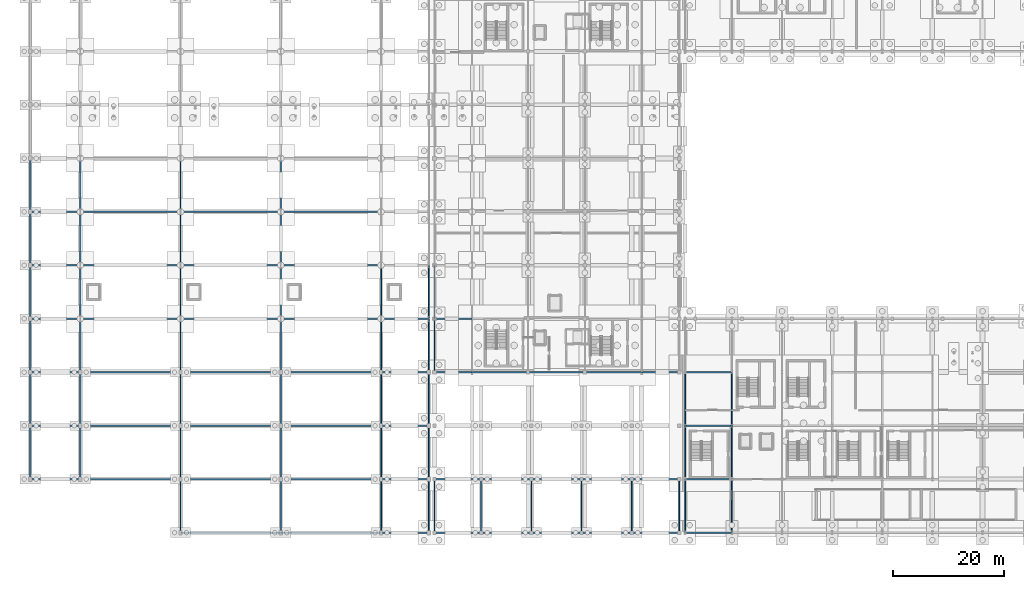
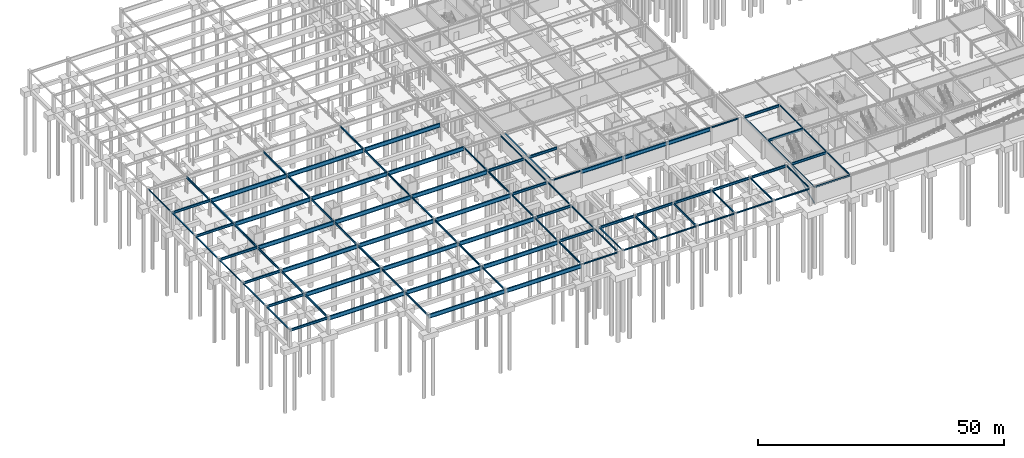
# One storey, part 30 of 59: 101 beams, 1 member.
"""IFC4 building model written with IfcOpenShell, lengths in metres."""

from ifc_helpers import new_model, si_unit, direction, frame, origin, origin_2d, place, context, subcontext, project, spatial, hollow_rectangle, i_section, extrude, material, material_profile, profile_set, type_object, element, save


model = new_model("IFC4")

# Units and contexts
model_context = context("Model", 3, precision=1e-05, world=origin(), true_north=direction((0.0, 1.0)))
body_context = subcontext(model_context, "Body", "Model", "MODEL_VIEW")
ifc_project = project(units=[si_unit("LENGTHUNIT", "METRE"), si_unit("AREAUNIT", "SQUARE_METRE"), si_unit("VOLUMEUNIT", "CUBIC_METRE"), si_unit("PLANEANGLEUNIT", "RADIAN"), si_unit("MASSUNIT", "GRAM", prefix="KILO")], contexts=[model_context])

# Site, building, storey
site_placement = place(None, origin())
site = spatial("IfcSite", under=ifc_project, at=site_placement, CompositionType="ELEMENT")
building_placement = place(site_placement, origin())
building = spatial("IfcBuilding", under=site, at=building_placement, Name="Myrtia Square Station", CompositionType="ELEMENT")
storey_placement = place(building_placement, frame((0.0, 0.0, -4.5)))
storey = spatial("IfcBuildingStorey", under=building, at=storey_placement, Name="B01", CompositionType="ELEMENT", Elevation=-4.5)

# Beams
ifc_material = material(Name="Steel S355", Category="steel")
ifc_material_profile_1 = material_profile(ifc_material, i_section(OverallWidth=0.300048828125, OverallDepth=0.60009765625, WebThickness=0.015380859375, FlangeThickness=0.030029296875, FilletRadius=0.027099609375, at=origin_2d()), Name="HEB 600")
ifc_profile_set_1 = profile_set([ifc_material_profile_1], Name="Steel S355")
beam_type_1 = type_object("IfcBeamType", Name="BM-HEB600", PredefinedType="BEAM", material=ifc_profile_set_1)
beam_1_placement = place(storey_placement, frame((0.050048828125, 9.60009765625, 3.89990234375), z_axis=(1.0, 0.0, 0.0), x_axis=(0.0, 1.0, 0.0)))
element("IfcBeam", 1, at=beam_1_placement, inside=storey, type_object=beam_type_1, Name="Structural girder BMX-B01-0001", PredefinedType="BEAM", context=body_context, shape_type="SweptSolid", body=[
    extrude(i_section(OverallWidth=0.300048828125, OverallDepth=0.60009765625, WebThickness=0.015380859375, FlangeThickness=0.030029296875, FilletRadius=0.027099609375, at=origin_2d()), origin(), (0.0, 0.0, 1.0), 8.89990234375),
])
beam_2_placement = place(storey_placement, frame((63.050048828125, 9.60009765625, 3.89990234375), z_axis=(1.0, 0.0, 0.0), x_axis=(0.0, 1.0, 0.0)))
element("IfcBeam", 2, at=beam_2_placement, inside=storey, type_object=beam_type_1, Name="Structural girder BMX-B01-0002", PredefinedType="BEAM", context=body_context, shape_type="SweptSolid", body=[
    extrude(i_section(OverallWidth=0.300048828125, OverallDepth=0.60009765625, WebThickness=0.015380859375, FlangeThickness=0.030029296875, FilletRadius=0.027099609375, at=origin_2d()), origin(), (0.0, 0.0, 1.0), 8.449951171875),
])
beam_3_placement = place(storey_placement, frame((0.050048828125, 19.199951171875, 3.89990234375), z_axis=(1.0, 0.0, 0.0), x_axis=(0.0, 1.0, 0.0)))
element("IfcBeam", 3, at=beam_3_placement, inside=storey, type_object=beam_type_1, Name="Structural girder BMX-B01-0003", PredefinedType="BEAM", context=body_context, shape_type="SweptSolid", body=[
    extrude(i_section(OverallWidth=0.300048828125, OverallDepth=0.60009765625, WebThickness=0.015380859375, FlangeThickness=0.030029296875, FilletRadius=0.027099609375, at=origin_2d()), origin(), (0.0, 0.0, 1.0), 8.89990234375),
])
beam_4_placement = place(storey_placement, frame((63.050048828125, 19.199951171875, 3.89990234375), z_axis=(1.0, 0.0, 0.0), x_axis=(0.0, 1.0, 0.0)))
element("IfcBeam", 4, at=beam_4_placement, inside=storey, type_object=beam_type_1, Name="Structural girder BMX-B01-0004", PredefinedType="BEAM", context=body_context, shape_type="SweptSolid", body=[
    extrude(i_section(OverallWidth=0.300048828125, OverallDepth=0.60009765625, WebThickness=0.015380859375, FlangeThickness=0.030029296875, FilletRadius=0.027099609375, at=origin_2d()), origin(), (0.0, 0.0, 1.0), 8.449951171875),
])
beam_5_placement = place(storey_placement, frame((0.050048828125, 28.800048828125, 3.89990234375), z_axis=(1.0, 0.0, 0.0), x_axis=(0.0, 1.0, 0.0)))
element("IfcBeam", 5, at=beam_5_placement, inside=storey, type_object=beam_type_1, Name="Structural girder BMX-B01-0005", PredefinedType="BEAM", context=body_context, shape_type="SweptSolid", body=[
    extrude(i_section(OverallWidth=0.300048828125, OverallDepth=0.60009765625, WebThickness=0.015380859375, FlangeThickness=0.030029296875, FilletRadius=0.027099609375, at=origin_2d()), origin(), (0.0, 0.0, 1.0), 8.89990234375),
])
beam_6_placement = place(storey_placement, frame((63.050048828125, 28.800048828125, 3.89990234375), z_axis=(1.0, 0.0, 0.0), x_axis=(0.0, 1.0, 0.0)))
element("IfcBeam", 6, at=beam_6_placement, inside=storey, type_object=beam_type_1, Name="Structural girder BMX-B01-0006", PredefinedType="BEAM", context=body_context, shape_type="SweptSolid", body=[
    extrude(i_section(OverallWidth=0.300048828125, OverallDepth=0.60009765625, WebThickness=0.015380859375, FlangeThickness=0.030029296875, FilletRadius=0.027099609375, at=origin_2d()), origin(), (0.0, 0.0, 1.0), 8.449951171875),
])
beam_7_placement = place(storey_placement, frame((0.050048828125, 38.39990234375, 3.89990234375), z_axis=(1.0, 0.0, 0.0), x_axis=(0.0, 1.0, 0.0)))
element("IfcBeam", 7, at=beam_7_placement, inside=storey, type_object=beam_type_1, Name="Structural girder BMX-B01-0007", PredefinedType="BEAM", context=body_context, shape_type="SweptSolid", body=[
    extrude(i_section(OverallWidth=0.300048828125, OverallDepth=0.60009765625, WebThickness=0.015380859375, FlangeThickness=0.030029296875, FilletRadius=0.027099609375, at=origin_2d()), origin(), (0.0, 0.0, 1.0), 8.89990234375),
])
beam_8_placement = place(storey_placement, frame((63.050048828125, 38.39990234375, 3.89990234375), z_axis=(1.0, 0.0, 0.0), x_axis=(0.0, 1.0, 0.0)))
element("IfcBeam", 8, at=beam_8_placement, inside=storey, type_object=beam_type_1, Name="Structural girder BMX-B01-0008", PredefinedType="BEAM", context=body_context, shape_type="SweptSolid", body=[
    extrude(i_section(OverallWidth=0.300048828125, OverallDepth=0.60009765625, WebThickness=0.015380859375, FlangeThickness=0.030029296875, FilletRadius=0.027099609375, at=origin_2d()), origin(), (0.0, 0.0, 1.0), 8.449951171875),
])
for number, where, z_axis, x_axis, name in (
    (9, (0.050048828125, 48.0, 3.89990234375), (1.0, 0.0, 0.0), (0.0, 1.0, 0.0), "Structural girder BMX-B01-0009"),
    (10, (0.050048828125, 57.60009765625, 3.89990234375), (1.0, 0.0, 0.0), (0.0, 1.0, 0.0), "Structural girder BMX-B01-0011"),
):
    element("IfcBeam", number, at=place(storey_placement, frame(where, z_axis=z_axis, x_axis=x_axis)), inside=storey, type_object=beam_type_1, Name=name, PredefinedType="BEAM", context=body_context, shape_type="SweptSolid", body=[
        extrude(i_section(OverallWidth=0.300048828125, OverallDepth=0.60009765625, WebThickness=0.015380859375, FlangeThickness=0.030029296875, FilletRadius=0.027099609375, at=origin_2d()), origin(), (0.0, 0.0, 1.0), 8.89990234375),
    ])
beam_9_placement = place(storey_placement, frame((72.64990234375, 38.39990234375, 3.919921875), z_axis=(1.0, 0.0, 0.0), x_axis=(0.0, 1.0, 0.0)))
element("IfcBeam", 11, at=beam_9_placement, inside=storey, type_object=beam_type_1, Name="Structural girder BMX-B01-0088", PredefinedType="BEAM", context=body_context, shape_type="SweptSolid", body=[
    extrude(i_section(OverallWidth=0.300048828125, OverallDepth=0.60009765625, WebThickness=0.015380859375, FlangeThickness=0.030029296875, FilletRadius=0.027099609375, at=origin_2d()), origin(), (0.0, 0.0, 1.0), 6.650146484375),
])
beam_10_placement = place(storey_placement, frame((72.64990234375, 9.60009765625, 3.93994140625), z_axis=(1.0, 0.0, 0.0), x_axis=(0.0, 1.0, 0.0)))
element("IfcBeam", 12, at=beam_10_placement, inside=storey, type_object=beam_type_1, Name="Structural girder BMX-B01-0135", PredefinedType="BEAM", context=body_context, shape_type="SweptSolid", body=[
    extrude(i_section(OverallWidth=0.300048828125, OverallDepth=0.60009765625, WebThickness=0.015380859375, FlangeThickness=0.030029296875, FilletRadius=0.027099609375, at=origin_2d()), origin(), (0.0, 0.0, 1.0), 8.300048828125),
])
for number, where, z_axis, x_axis, name in (
    (13, (81.050048828125, 9.60009765625, 3.93994140625), (1.0, 0.0, 0.0), (0.0, 1.0, 0.0), "Structural girder BMX-B01-0136"),
    (14, (90.050048828125, 9.60009765625, 3.93994140625), (1.0, 0.0, 0.0), (0.0, 1.0, 0.0), "Structural girder BMX-B01-0137"),
    (15, (99.050048828125, 9.60009765625, 3.93994140625), (1.0, 0.0, 0.0), (0.0, 1.0, 0.0), "Structural girder BMX-B01-0138"),
):
    element("IfcBeam", number, at=place(storey_placement, frame(where, z_axis=z_axis, x_axis=x_axis)), inside=storey, type_object=beam_type_1, Name=name, PredefinedType="BEAM", context=body_context, shape_type="SweptSolid", body=[
        extrude(i_section(OverallWidth=0.300048828125, OverallDepth=0.60009765625, WebThickness=0.015380859375, FlangeThickness=0.030029296875, FilletRadius=0.027099609375, at=origin_2d()), origin(), (0.0, 0.0, 1.0), 8.89990234375),
    ])
beam_11_placement = place(storey_placement, frame((108.050048828125, 9.60009765625, 3.93994140625), z_axis=(1.0, 0.0, 0.0), x_axis=(0.0, 1.0, 0.0)))
element("IfcBeam", 16, at=beam_11_placement, inside=storey, type_object=beam_type_1, Name="Structural girder BMX-B01-0139", PredefinedType="BEAM", context=body_context, shape_type="SweptSolid", body=[
    extrude(i_section(OverallWidth=0.300048828125, OverallDepth=0.60009765625, WebThickness=0.015380859375, FlangeThickness=0.030029296875, FilletRadius=0.027099609375, at=origin_2d()), origin(), (0.0, 0.0, 1.0), 8.449951171875),
])
for number, where, z_axis, x_axis, name in (
    (17, (117.64990234375, 9.60009765625, 3.929931640625), (1.0, 0.0, 0.0), (0.0, 1.0, 0.0), "Structural girder BMX-B01-0140"),
    (18, (117.64990234375, 19.199951171875, 3.929931640625), (1.0, 0.0, 0.0), (0.0, 1.0, 0.0), "Structural girder BMX-B01-0147"),
    (19, (117.64990234375, 28.800048828125, 3.929931640625), (1.0, 0.0, 0.0), (0.0, 1.0, 0.0), "Structural girder BMX-B01-0154"),
):
    element("IfcBeam", number, at=place(storey_placement, frame(where, z_axis=z_axis, x_axis=x_axis)), inside=storey, type_object=beam_type_1, Name=name, PredefinedType="BEAM", context=body_context, shape_type="SweptSolid", body=[
        extrude(i_section(OverallWidth=0.300048828125, OverallDepth=0.60009765625, WebThickness=0.015380859375, FlangeThickness=0.030029296875, FilletRadius=0.027099609375, at=origin_2d()), origin(), (0.0, 0.0, 1.0), 8.300048828125),
    ])
ifc_material_profile_2 = material_profile(ifc_material, i_section(OverallWidth=0.14990234375, OverallDepth=0.300048828125, WebThickness=0.007080078125, FlangeThickness=0.0107421875, FilletRadius=0.014892578125, at=origin_2d()), Name="IPE 300")
ifc_profile_set_2 = profile_set([ifc_material_profile_2], Name="Steel S355")
beam_type_2 = type_object("IfcBeamType", Name="BM-IPE300", PredefinedType="BEAM", material=ifc_profile_set_2)
for number, where, z_axis, x_axis, name in (
    (20, (126.0, 0.050048828125, 4.080078125), (0.0, 1.0, 0.0), (-1.0, 0.0, 0.0), "Structural girder BMY-B01-0167"),
    (21, (126.0, 9.64990234375, 4.080078125), (0.0, 1.0, 0.0), (-1.0, 0.0, 0.0), "Structural girder BMY-B01-0168"),
    (22, (126.0, 19.25, 4.080078125), (0.0, 1.0, 0.0), (-1.0, 0.0, 0.0), "Structural girder BMY-B01-0169"),
):
    element("IfcBeam", number, at=place(storey_placement, frame(where, z_axis=z_axis, x_axis=x_axis)), inside=storey, type_object=beam_type_2, Name=name, PredefinedType="BEAM", context=body_context, shape_type="SweptSolid", body=[
        extrude(i_section(OverallWidth=0.14990234375, OverallDepth=0.300048828125, WebThickness=0.007080078125, FlangeThickness=0.0107421875, FilletRadius=0.014892578125, at=origin_2d()), origin(), (0.0, 0.0, 1.0), 9.5),
    ])
ifc_material_profile_3 = material_profile(ifc_material, i_section(OverallWidth=0.159912109375, OverallDepth=0.330078125, WebThickness=0.007568359375, FlangeThickness=0.011474609375, FilletRadius=0.01806640625, at=origin_2d()), Name="IPE 330")
ifc_profile_set_3 = profile_set([ifc_material_profile_3], Name="Steel S355")
beam_type_3 = type_object("IfcBeamType", Name="BM-IPE330", PredefinedType="BEAM", material=ifc_profile_set_3)
for number, where, z_axis, x_axis, name in (
    (23, (117.60009765625, 0.050048828125, 4.06494140625), (0.0, 1.0, 0.0), (-1.0, 0.0, 0.0), "Structural girder BMY-B01-0163"),
    (24, (117.60009765625, 9.64990234375, 4.06494140625), (0.0, 1.0, 0.0), (-1.0, 0.0, 0.0), "Structural girder BMY-B01-0164"),
    (25, (117.60009765625, 19.25, 4.06494140625), (0.0, 1.0, 0.0), (-1.0, 0.0, 0.0), "Structural girder BMY-B01-0165"),
):
    element("IfcBeam", number, at=place(storey_placement, frame(where, z_axis=z_axis, x_axis=x_axis)), inside=storey, type_object=beam_type_3, Name=name, PredefinedType="BEAM", context=body_context, shape_type="SweptSolid", body=[
        extrude(i_section(OverallWidth=0.159912109375, OverallDepth=0.330078125, WebThickness=0.007568359375, FlangeThickness=0.011474609375, FilletRadius=0.01806640625, at=origin_2d()), origin(), (0.0, 0.0, 1.0), 9.5),
    ])
ifc_material_profile_4 = material_profile(ifc_material, i_section(OverallWidth=0.169921875, OverallDepth=0.360107421875, WebThickness=0.008056640625, FlangeThickness=0.0126953125, FilletRadius=0.01806640625, at=origin_2d()), Name="IPE 360")
ifc_profile_set_4 = profile_set([ifc_material_profile_4], Name="Steel S355")
beam_type_4 = type_object("IfcBeamType", Name="BM-IPE360", PredefinedType="BEAM", material=ifc_profile_set_4)
for number, where, z_axis, x_axis, name in (
    (26, (71.550048828125, 0.050048828125, 4.02001953125), (0.0, 1.0, 0.0), (-1.0, 0.0, 0.0), "Structural girder BMY-B01-0075"),
    (27, (71.550048828125, 9.64990234375, 4.02001953125), (0.0, 1.0, 0.0), (-1.0, 0.0, 0.0), "Structural girder BMY-B01-0076"),
    (28, (71.550048828125, 19.25, 4.02001953125), (0.0, 1.0, 0.0), (-1.0, 0.0, 0.0), "Structural girder BMY-B01-0077"),
    (29, (71.550048828125, 28.85009765625, 4.02001953125), (0.0, 1.0, 0.0), (-1.0, 0.0, 0.0), "Structural girder BMY-B01-0078"),
    (30, (71.550048828125, 38.449951171875, 4.02001953125), (0.0, 1.0, 0.0), (-1.0, 0.0, 0.0), "Structural girder BMY-B01-0079"),
    (31, (116.550048828125, 0.050048828125, 4.06005859375), (0.0, 1.0, 0.0), (-1.0, 0.0, 0.0), "Structural girder BMY-B01-0162"),
):
    element("IfcBeam", number, at=place(storey_placement, frame(where, z_axis=z_axis, x_axis=x_axis)), inside=storey, type_object=beam_type_4, Name=name, PredefinedType="BEAM", context=body_context, shape_type="SweptSolid", body=[
        extrude(i_section(OverallWidth=0.169921875, OverallDepth=0.360107421875, WebThickness=0.008056640625, FlangeThickness=0.0126953125, FilletRadius=0.01806640625, at=origin_2d()), origin(), (0.0, 0.0, 1.0), 9.5),
    ])
ifc_material_profile_5 = material_profile(ifc_material, i_section(OverallWidth=0.179931640625, OverallDepth=0.39990234375, WebThickness=0.008544921875, FlangeThickness=0.013427734375, FilletRadius=0.02099609375, at=origin_2d()), Name="IPE 400")
ifc_profile_set_5 = profile_set([ifc_material_profile_5], Name="Steel S355")
beam_type_5 = type_object("IfcBeamType", Name="BM-IPE400", PredefinedType="BEAM", material=ifc_profile_set_5)
for number, where, z_axis, x_axis, name in (
    (32, (63.0, 0.050048828125, 4.0), (0.0, 1.0, 0.0), (-1.0, 0.0, 0.0), "Structural girder BMY-B01-0062"),
    (33, (63.0, 9.64990234375, 4.0), (0.0, 1.0, 0.0), (-1.0, 0.0, 0.0), "Structural girder BMY-B01-0063"),
    (34, (63.0, 19.25, 4.0), (0.0, 1.0, 0.0), (-1.0, 0.0, 0.0), "Structural girder BMY-B01-0064"),
    (35, (63.0, 28.85009765625, 4.0), (0.0, 1.0, 0.0), (-1.0, 0.0, 0.0), "Structural girder BMY-B01-0065"),
    (36, (63.0, 38.449951171875, 4.0), (0.0, 1.0, 0.0), (-1.0, 0.0, 0.0), "Structural girder BMY-B01-0066"),
    (37, (108.0, 0.050048828125, 4.0400390625), (0.0, 1.0, 0.0), (-1.0, 0.0, 0.0), "Structural girder BMY-B01-0161"),
):
    element("IfcBeam", number, at=place(storey_placement, frame(where, z_axis=z_axis, x_axis=x_axis)), inside=storey, type_object=beam_type_5, Name=name, PredefinedType="BEAM", context=body_context, shape_type="SweptSolid", body=[
        extrude(i_section(OverallWidth=0.179931640625, OverallDepth=0.39990234375, WebThickness=0.008544921875, FlangeThickness=0.013427734375, FilletRadius=0.02099609375, at=origin_2d()), origin(), (0.0, 0.0, 1.0), 9.5),
    ])
ifc_material_profile_6 = material_profile(ifc_material, i_section(OverallWidth=0.18994140625, OverallDepth=0.449951171875, WebThickness=0.009521484375, FlangeThickness=0.0146484375, FilletRadius=0.02099609375, at=origin_2d()), Name="IPE 450")
ifc_profile_set_6 = profile_set([ifc_material_profile_6], Name="Steel S355")
beam_type_6 = type_object("IfcBeamType", Name="BM-IPE450", PredefinedType="BEAM", material=ifc_profile_set_6)
for number, where, z_axis, x_axis, name in (
    (38, (45.0, 0.050048828125, 3.97509765625), (0.0, 1.0, 0.0), (-1.0, 0.0, 0.0), "Structural girder BMY-B01-0049"),
    (39, (45.0, 9.64990234375, 3.97509765625), (0.0, 1.0, 0.0), (-1.0, 0.0, 0.0), "Structural girder BMY-B01-0050"),
    (40, (45.0, 19.25, 3.97509765625), (0.0, 1.0, 0.0), (-1.0, 0.0, 0.0), "Structural girder BMY-B01-0051"),
    (41, (45.0, 28.85009765625, 3.97509765625), (0.0, 1.0, 0.0), (-1.0, 0.0, 0.0), "Structural girder BMY-B01-0052"),
    (42, (45.0, 38.449951171875, 3.97509765625), (0.0, 1.0, 0.0), (-1.0, 0.0, 0.0), "Structural girder BMY-B01-0053"),
    (43, (45.0, 48.050048828125, 3.97509765625), (0.0, 1.0, 0.0), (-1.0, 0.0, 0.0), "Structural girder BMY-B01-0054"),
    (44, (45.0, 57.64990234375, 3.97509765625), (0.0, 1.0, 0.0), (-1.0, 0.0, 0.0), "Structural girder BMY-B01-0055"),
    (45, (99.0, 0.050048828125, 4.014892578125), (0.0, 1.0, 0.0), (-1.0, 0.0, 0.0), "Structural girder BMY-B01-0160"),
):
    element("IfcBeam", number, at=place(storey_placement, frame(where, z_axis=z_axis, x_axis=x_axis)), inside=storey, type_object=beam_type_6, Name=name, PredefinedType="BEAM", context=body_context, shape_type="SweptSolid", body=[
        extrude(i_section(OverallWidth=0.18994140625, OverallDepth=0.449951171875, WebThickness=0.009521484375, FlangeThickness=0.0146484375, FilletRadius=0.02099609375, at=origin_2d()), origin(), (0.0, 0.0, 1.0), 9.5),
    ])
ifc_material_profile_7 = material_profile(ifc_material, i_section(OverallWidth=0.199951171875, OverallDepth=0.5, WebThickness=0.01025390625, FlangeThickness=0.01611328125, FilletRadius=0.02099609375, at=origin_2d()), Name="IPE 500")
ifc_profile_set_7 = profile_set([ifc_material_profile_7], Name="Steel S355")
beam_type_7 = type_object("IfcBeamType", Name="BM-IPE500", PredefinedType="BEAM", material=ifc_profile_set_7)
for number, where, z_axis, x_axis, name in (
    (46, (27.0, 0.050048828125, 3.949951171875), (0.0, 1.0, 0.0), (-1.0, 0.0, 0.0), "Structural girder BMY-B01-0036"),
    (47, (27.0, 9.64990234375, 3.949951171875), (0.0, 1.0, 0.0), (-1.0, 0.0, 0.0), "Structural girder BMY-B01-0037"),
    (48, (27.0, 19.25, 3.949951171875), (0.0, 1.0, 0.0), (-1.0, 0.0, 0.0), "Structural girder BMY-B01-0038"),
    (49, (27.0, 28.85009765625, 3.949951171875), (0.0, 1.0, 0.0), (-1.0, 0.0, 0.0), "Structural girder BMY-B01-0039"),
    (50, (27.0, 38.449951171875, 3.949951171875), (0.0, 1.0, 0.0), (-1.0, 0.0, 0.0), "Structural girder BMY-B01-0040"),
    (51, (27.0, 48.050048828125, 3.949951171875), (0.0, 1.0, 0.0), (-1.0, 0.0, 0.0), "Structural girder BMY-B01-0041"),
    (52, (27.0, 57.64990234375, 3.949951171875), (0.0, 1.0, 0.0), (-1.0, 0.0, 0.0), "Structural girder BMY-B01-0042"),
    (53, (90.0, 0.050048828125, 3.989990234375), (0.0, 1.0, 0.0), (-1.0, 0.0, 0.0), "Structural girder BMY-B01-0159"),
):
    element("IfcBeam", number, at=place(storey_placement, frame(where, z_axis=z_axis, x_axis=x_axis)), inside=storey, type_object=beam_type_7, Name=name, PredefinedType="BEAM", context=body_context, shape_type="SweptSolid", body=[
        extrude(i_section(OverallWidth=0.199951171875, OverallDepth=0.5, WebThickness=0.01025390625, FlangeThickness=0.01611328125, FilletRadius=0.02099609375, at=origin_2d()), origin(), (0.0, 0.0, 1.0), 9.5),
    ])
ifc_material_profile_8 = material_profile(ifc_material, i_section(OverallWidth=0.2099609375, OverallDepth=0.550048828125, WebThickness=0.010986328125, FlangeThickness=0.01708984375, FilletRadius=0.02392578125, at=origin_2d()), Name="IPE 550")
ifc_profile_set_8 = profile_set([ifc_material_profile_8], Name="Steel S355")
beam_type_8 = type_object("IfcBeamType", Name="BM-IPE550", PredefinedType="BEAM", material=ifc_profile_set_8)
for number, where, z_axis, x_axis, name in (
    (54, (9.0, 9.64990234375, 3.925048828125), (0.0, 1.0, 0.0), (-1.0, 0.0, 0.0), "Structural girder BMY-B01-0025"),
    (55, (9.0, 19.25, 3.925048828125), (0.0, 1.0, 0.0), (-1.0, 0.0, 0.0), "Structural girder BMY-B01-0026"),
    (56, (9.0, 28.85009765625, 3.925048828125), (0.0, 1.0, 0.0), (-1.0, 0.0, 0.0), "Structural girder BMY-B01-0027"),
    (57, (9.0, 38.449951171875, 3.925048828125), (0.0, 1.0, 0.0), (-1.0, 0.0, 0.0), "Structural girder BMY-B01-0028"),
    (58, (9.0, 48.050048828125, 3.925048828125), (0.0, 1.0, 0.0), (-1.0, 0.0, 0.0), "Structural girder BMY-B01-0029"),
    (59, (9.0, 57.64990234375, 3.925048828125), (0.0, 1.0, 0.0), (-1.0, 0.0, 0.0), "Structural girder BMY-B01-0030"),
    (60, (81.0, 0.050048828125, 3.965087890625), (0.0, 1.0, 0.0), (-1.0, 0.0, 0.0), "Structural girder BMY-B01-0158"),
):
    element("IfcBeam", number, at=place(storey_placement, frame(where, z_axis=z_axis, x_axis=x_axis)), inside=storey, type_object=beam_type_8, Name=name, PredefinedType="BEAM", context=body_context, shape_type="SweptSolid", body=[
        extrude(i_section(OverallWidth=0.2099609375, OverallDepth=0.550048828125, WebThickness=0.010986328125, FlangeThickness=0.01708984375, FilletRadius=0.02392578125, at=origin_2d()), origin(), (0.0, 0.0, 1.0), 9.5),
    ])

# Member
ifc_material_profile_9 = material_profile(ifc_material, hollow_rectangle(XDim=0.199951171875, YDim=0.199951171875, WallThickness=0.012451171875, InnerFilletRadius=0.012451171875, OuterFilletRadius=0.02490234375, at=origin_2d()), Name="SHS 200x200x12.5")
ifc_profile_set_9 = profile_set([ifc_material_profile_9], Name="Steel S355")
member_type = type_object("IfcMemberType", Name="BRC-SHS200", PredefinedType="BRACE", material=ifc_profile_set_9)
member_placement = place(storey_placement, frame((117.60009765625, 0.0, 0.10009765625), z_axis=(0.0, 0.924780834948, 0.380500206719), x_axis=(-1.0, 0.0, 0.0)))
element("IfcMember", 61, at=member_placement, inside=storey, type_object=member_type, Name="Seismic concentrically braced frame BF-B01-01", PredefinedType="BRACE", context=body_context, shape_type="SweptSolid", body=[
    extrude(hollow_rectangle(XDim=0.199951171875, YDim=0.199951171875, WallThickness=0.012451171875, InnerFilletRadius=0.012451171875, OuterFilletRadius=0.02490234375, at=origin_2d()), origin(), (0.0, 0.0, 1.0), 10.380859375),
])

# Beams
ifc_material_profile_10 = material_profile(ifc_material, i_section(OverallWidth=0.239990234375, OverallDepth=0.239990234375, WebThickness=0.010009765625, FlangeThickness=0.01708984375, FilletRadius=0.02099609375, at=origin_2d()), Name="HEB 240")
ifc_profile_set_10 = profile_set([ifc_material_profile_10], Name="Steel S355")
beam_type_9 = type_object("IfcBeamType", Name="SPN-HEB240", PredefinedType="SPANDREL", material=ifc_profile_set_10)
for number, where, z_axis, x_axis, name in (
    (62, (0.0, 9.64990234375, 4.080078125), (0.0, 1.0, 0.0), (-1.0, 0.0, 0.0), "Structural girder SPNY-B01-0003"),
    (63, (0.0, 19.25, 4.080078125), (0.0, 1.0, 0.0), (-1.0, 0.0, 0.0), "Structural girder SPNY-B01-0004"),
    (64, (0.0, 28.85009765625, 4.080078125), (0.0, 1.0, 0.0), (-1.0, 0.0, 0.0), "Structural girder SPNY-B01-0005"),
    (65, (0.0, 38.449951171875, 4.080078125), (0.0, 1.0, 0.0), (-1.0, 0.0, 0.0), "Structural girder SPNY-B01-0006"),
    (66, (0.0, 48.050048828125, 4.080078125), (0.0, 1.0, 0.0), (-1.0, 0.0, 0.0), "Structural girder SPNY-B01-0007"),
    (67, (0.0, 57.64990234375, 4.080078125), (0.0, 1.0, 0.0), (-1.0, 0.0, 0.0), "Structural girder SPNY-B01-0008"),
    (68, (72.60009765625, 28.85009765625, 4.10009765625), (0.0, 1.0, 0.0), (-1.0, 0.0, 0.0), "Structural girder SPNY-B01-0018"),
    (69, (72.60009765625, 38.449951171875, 4.10009765625), (0.0, 1.0, 0.0), (-1.0, 0.0, 0.0), "Structural girder SPNY-B01-0019"),
    (70, (72.60009765625, 0.050048828125, 4.1201171875), (0.0, 1.0, 0.0), (-1.0, 0.0, 0.0), "Structural girder SPNY-B01-0044"),
):
    element("IfcBeam", number, at=place(storey_placement, frame(where, z_axis=z_axis, x_axis=x_axis)), inside=storey, type_object=beam_type_9, Name=name, PredefinedType="SPANDREL", context=body_context, shape_type="SweptSolid", body=[
        extrude(i_section(OverallWidth=0.239990234375, OverallDepth=0.239990234375, WebThickness=0.010009765625, FlangeThickness=0.01708984375, FilletRadius=0.02099609375, at=origin_2d()), origin(), (0.0, 0.0, 1.0), 9.5),
    ])
ifc_material_profile_11 = material_profile(ifc_material, i_section(OverallWidth=0.280029296875, OverallDepth=0.280029296875, WebThickness=0.010498046875, FlangeThickness=0.01806640625, FilletRadius=0.02392578125, at=origin_2d()), Name="HEB 280")
ifc_profile_set_11 = profile_set([ifc_material_profile_11], Name="Steel S355")
beam_type_10 = type_object("IfcBeamType", Name="SPN-HEB280", PredefinedType="SPANDREL", material=ifc_profile_set_11)
beam_12_placement = place(storey_placement, frame((63.050048828125, 0.0, 4.06005859375), z_axis=(1.0, 0.0, 0.0), x_axis=(0.0, 1.0, 0.0)))
element("IfcBeam", 71, at=beam_12_placement, inside=storey, type_object=beam_type_10, Name="Structural girder SPN-B01-0001", PredefinedType="SPANDREL", context=body_context, shape_type="SweptSolid", body=[
    extrude(i_section(OverallWidth=0.280029296875, OverallDepth=0.280029296875, WebThickness=0.010498046875, FlangeThickness=0.01806640625, FilletRadius=0.02392578125, at=origin_2d()), origin(), (0.0, 0.0, 1.0), 8.449951171875),
])
beam_13_placement = place(storey_placement, frame((72.64990234375, 28.800048828125, 4.080078125), z_axis=(1.0, 0.0, 0.0), x_axis=(0.0, 1.0, 0.0)))
element("IfcBeam", 72, at=beam_13_placement, inside=storey, type_object=beam_type_10, Name="Structural girder SPN-B01-0014", PredefinedType="SPANDREL", context=body_context, shape_type="SweptSolid", body=[
    extrude(i_section(OverallWidth=0.280029296875, OverallDepth=0.280029296875, WebThickness=0.010498046875, FlangeThickness=0.01806640625, FilletRadius=0.02392578125, at=origin_2d()), origin(), (0.0, 0.0, 1.0), 6.650146484375),
])
beam_14_placement = place(storey_placement, frame((109.85009765625, 28.800048828125, 4.080078125), z_axis=(1.0, 0.0, 0.0), x_axis=(0.0, 1.0, 0.0)))
element("IfcBeam", 73, at=beam_14_placement, inside=storey, type_object=beam_type_10, Name="Structural girder SPN-B01-0015", PredefinedType="SPANDREL", context=body_context, shape_type="SweptSolid", body=[
    extrude(i_section(OverallWidth=0.280029296875, OverallDepth=0.280029296875, WebThickness=0.010498046875, FlangeThickness=0.01806640625, FilletRadius=0.02392578125, at=origin_2d()), origin(), (0.0, 0.0, 1.0), 6.64990234375),
])
beam_15_placement = place(storey_placement, frame((72.64990234375, 0.0, 4.10009765625), z_axis=(1.0, 0.0, 0.0), x_axis=(0.0, 1.0, 0.0)))
element("IfcBeam", 74, at=beam_15_placement, inside=storey, type_object=beam_type_10, Name="Structural girder SPN-B01-0025", PredefinedType="SPANDREL", context=body_context, shape_type="SweptSolid", body=[
    extrude(i_section(OverallWidth=0.280029296875, OverallDepth=0.280029296875, WebThickness=0.010498046875, FlangeThickness=0.01806640625, FilletRadius=0.02392578125, at=origin_2d()), origin(), (0.0, 0.0, 1.0), 8.300048828125),
])
for number, where, z_axis, x_axis, name in (
    (75, (81.050048828125, 0.0, 4.10009765625), (1.0, 0.0, 0.0), (0.0, 1.0, 0.0), "Structural girder SPN-B01-0026"),
    (76, (90.050048828125, 0.0, 4.10009765625), (1.0, 0.0, 0.0), (0.0, 1.0, 0.0), "Structural girder SPN-B01-0027"),
    (77, (99.050048828125, 0.0, 4.10009765625), (1.0, 0.0, 0.0), (0.0, 1.0, 0.0), "Structural girder SPN-B01-0028"),
):
    element("IfcBeam", number, at=place(storey_placement, frame(where, z_axis=z_axis, x_axis=x_axis)), inside=storey, type_object=beam_type_10, Name=name, PredefinedType="SPANDREL", context=body_context, shape_type="SweptSolid", body=[
        extrude(i_section(OverallWidth=0.280029296875, OverallDepth=0.280029296875, WebThickness=0.010498046875, FlangeThickness=0.01806640625, FilletRadius=0.02392578125, at=origin_2d()), origin(), (0.0, 0.0, 1.0), 8.89990234375),
    ])
beam_16_placement = place(storey_placement, frame((108.050048828125, 0.0, 4.10009765625), z_axis=(1.0, 0.0, 0.0), x_axis=(0.0, 1.0, 0.0)))
element("IfcBeam", 78, at=beam_16_placement, inside=storey, type_object=beam_type_10, Name="Structural girder SPN-B01-0029", PredefinedType="SPANDREL", context=body_context, shape_type="SweptSolid", body=[
    extrude(i_section(OverallWidth=0.280029296875, OverallDepth=0.280029296875, WebThickness=0.010498046875, FlangeThickness=0.01806640625, FilletRadius=0.02392578125, at=origin_2d()), origin(), (0.0, 0.0, 1.0), 8.449951171875),
])
beam_17_placement = place(storey_placement, frame((117.64990234375, 0.0, 4.090087890625), z_axis=(1.0, 0.0, 0.0), x_axis=(0.0, 1.0, 0.0)))
element("IfcBeam", 79, at=beam_17_placement, inside=storey, type_object=beam_type_10, Name="Structural girder SPN-B01-0030", PredefinedType="SPANDREL", context=body_context, shape_type="SweptSolid", body=[
    extrude(i_section(OverallWidth=0.280029296875, OverallDepth=0.280029296875, WebThickness=0.010498046875, FlangeThickness=0.01806640625, FilletRadius=0.02392578125, at=origin_2d()), origin(), (0.0, 0.0, 1.0), 8.300048828125),
])
ifc_material_profile_12 = material_profile(ifc_material, i_section(OverallWidth=0.300048828125, OverallDepth=1.0, WebThickness=0.01904296875, FlangeThickness=0.035888671875, FilletRadius=0.030029296875, at=origin_2d()), Name="HEB 1000")
ifc_profile_set_12 = profile_set([ifc_material_profile_12], Name="Steel S355")
beam_type_11 = type_object("IfcBeamType", Name="TG-HEB1000", PredefinedType="USERDEFINED", material=ifc_profile_set_12)
for number, where, z_axis, x_axis, name in (
    (80, (27.050048828125, 0.0, 3.699951171875), (1.0, 0.0, 0.0), (0.0, 1.0, 0.0), "Structural girder TG-B01-0001"),
    (81, (45.050048828125, 0.0, 3.699951171875), (1.0, 0.0, 0.0), (0.0, 1.0, 0.0), "Structural girder TG-B01-0002"),
    (82, (9.050048828125, 9.60009765625, 3.699951171875), (1.0, 0.0, 0.0), (0.0, 1.0, 0.0), "Structural girder TG-B01-0003"),
    (83, (27.050048828125, 9.60009765625, 3.699951171875), (1.0, 0.0, 0.0), (0.0, 1.0, 0.0), "Structural girder TG-B01-0004"),
    (84, (45.050048828125, 9.60009765625, 3.699951171875), (1.0, 0.0, 0.0), (0.0, 1.0, 0.0), "Structural girder TG-B01-0005"),
    (85, (9.050048828125, 19.199951171875, 3.699951171875), (1.0, 0.0, 0.0), (0.0, 1.0, 0.0), "Structural girder TG-B01-0006"),
    (86, (27.050048828125, 19.199951171875, 3.699951171875), (1.0, 0.0, 0.0), (0.0, 1.0, 0.0), "Structural girder TG-B01-0007"),
    (87, (45.050048828125, 19.199951171875, 3.699951171875), (1.0, 0.0, 0.0), (0.0, 1.0, 0.0), "Structural girder TG-B01-0008"),
    (88, (9.050048828125, 28.800048828125, 3.699951171875), (1.0, 0.0, 0.0), (0.0, 1.0, 0.0), "Structural girder TG-B01-0009"),
    (89, (27.050048828125, 28.800048828125, 3.699951171875), (1.0, 0.0, 0.0), (0.0, 1.0, 0.0), "Structural girder TG-B01-0010"),
    (90, (45.050048828125, 28.800048828125, 3.699951171875), (1.0, 0.0, 0.0), (0.0, 1.0, 0.0), "Structural girder TG-B01-0011"),
    (91, (9.050048828125, 38.39990234375, 3.699951171875), (1.0, 0.0, 0.0), (0.0, 1.0, 0.0), "Structural girder TG-B01-0012"),
    (92, (27.050048828125, 38.39990234375, 3.699951171875), (1.0, 0.0, 0.0), (0.0, 1.0, 0.0), "Structural girder TG-B01-0013"),
    (93, (45.050048828125, 38.39990234375, 3.699951171875), (1.0, 0.0, 0.0), (0.0, 1.0, 0.0), "Structural girder TG-B01-0014"),
    (94, (9.050048828125, 48.0, 3.699951171875), (1.0, 0.0, 0.0), (0.0, 1.0, 0.0), "Structural girder TG-B01-0015"),
    (95, (27.050048828125, 48.0, 3.699951171875), (1.0, 0.0, 0.0), (0.0, 1.0, 0.0), "Structural girder TG-B01-0016"),
    (96, (45.050048828125, 48.0, 3.699951171875), (1.0, 0.0, 0.0), (0.0, 1.0, 0.0), "Structural girder TG-B01-0017"),
    (97, (9.050048828125, 57.60009765625, 3.699951171875), (1.0, 0.0, 0.0), (0.0, 1.0, 0.0), "Structural girder TG-B01-0018"),
    (98, (27.050048828125, 57.60009765625, 3.699951171875), (1.0, 0.0, 0.0), (0.0, 1.0, 0.0), "Structural girder TG-B01-0019"),
    (99, (45.050048828125, 57.60009765625, 3.699951171875), (1.0, 0.0, 0.0), (0.0, 1.0, 0.0), "Structural girder TG-B01-0020"),
):
    element("IfcBeam", number, at=place(storey_placement, frame(where, z_axis=z_axis, x_axis=x_axis)), inside=storey, type_object=beam_type_11, Name=name, ObjectType="TRANSFER GIRDER", PredefinedType="USERDEFINED", context=body_context, shape_type="SweptSolid", body=[
        extrude(i_section(OverallWidth=0.300048828125, OverallDepth=1.0, WebThickness=0.01904296875, FlangeThickness=0.035888671875, FilletRadius=0.030029296875, at=origin_2d()), origin(), (0.0, 0.0, 1.0), 17.89990234375),
    ])
ifc_material_profile_13 = material_profile(ifc_material, i_section(OverallWidth=0.300048828125, OverallDepth=0.89990234375, WebThickness=0.0185546875, FlangeThickness=0.034912109375, FilletRadius=0.030029296875, at=origin_2d()), Name="HEB 900")
ifc_profile_set_13 = profile_set([ifc_material_profile_13], Name="Steel S355")
beam_type_12 = type_object("IfcBeamType", Name="TG-HEB900", PredefinedType="USERDEFINED", material=ifc_profile_set_13)
beam_18_placement = place(storey_placement, frame((79.39990234375, 28.800048828125, 3.77001953125), z_axis=(1.0, 0.0, 0.0), x_axis=(0.0, 1.0, 0.0)))
element("IfcBeam", 100, at=beam_18_placement, inside=storey, type_object=beam_type_12, Name="Structural girder TG-B01-0041", ObjectType="TRANSFER GIRDER", PredefinedType="USERDEFINED", context=body_context, shape_type="SweptSolid", body=[
    extrude(i_section(OverallWidth=0.300048828125, OverallDepth=0.89990234375, WebThickness=0.0185546875, FlangeThickness=0.034912109375, FilletRadius=0.030029296875, at=origin_2d()), origin(), (0.0, 0.0, 1.0), 9.9501953125),
])
for number, where, z_axis, x_axis, name in (
    (101, (89.449951171875, 28.800048828125, 3.77001953125), (1.0, 0.0, 0.0), (0.0, 1.0, 0.0), "Structural girder TG-B01-0042"),
    (102, (99.64990234375, 28.800048828125, 3.77001953125), (1.0, 0.0, 0.0), (0.0, 1.0, 0.0), "Structural girder TG-B01-0043"),
):
    element("IfcBeam", number, at=place(storey_placement, frame(where, z_axis=z_axis, x_axis=x_axis)), inside=storey, type_object=beam_type_12, Name=name, ObjectType="TRANSFER GIRDER", PredefinedType="USERDEFINED", context=body_context, shape_type="SweptSolid", body=[
        extrude(i_section(OverallWidth=0.300048828125, OverallDepth=0.89990234375, WebThickness=0.0185546875, FlangeThickness=0.034912109375, FilletRadius=0.030029296875, at=origin_2d()), origin(), (0.0, 0.0, 1.0), 10.10009765625),
    ])

save(model, "model.ifc")
